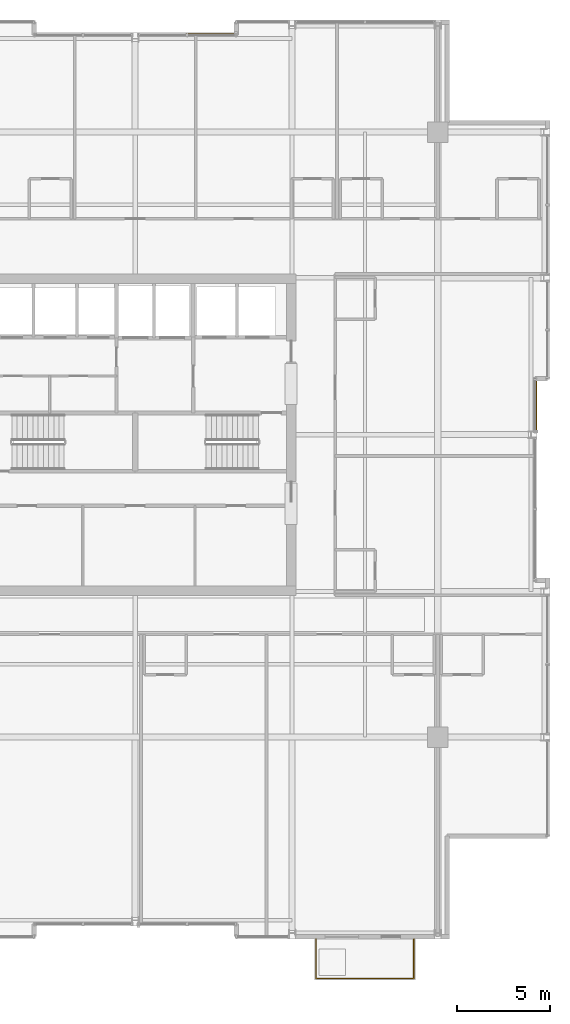
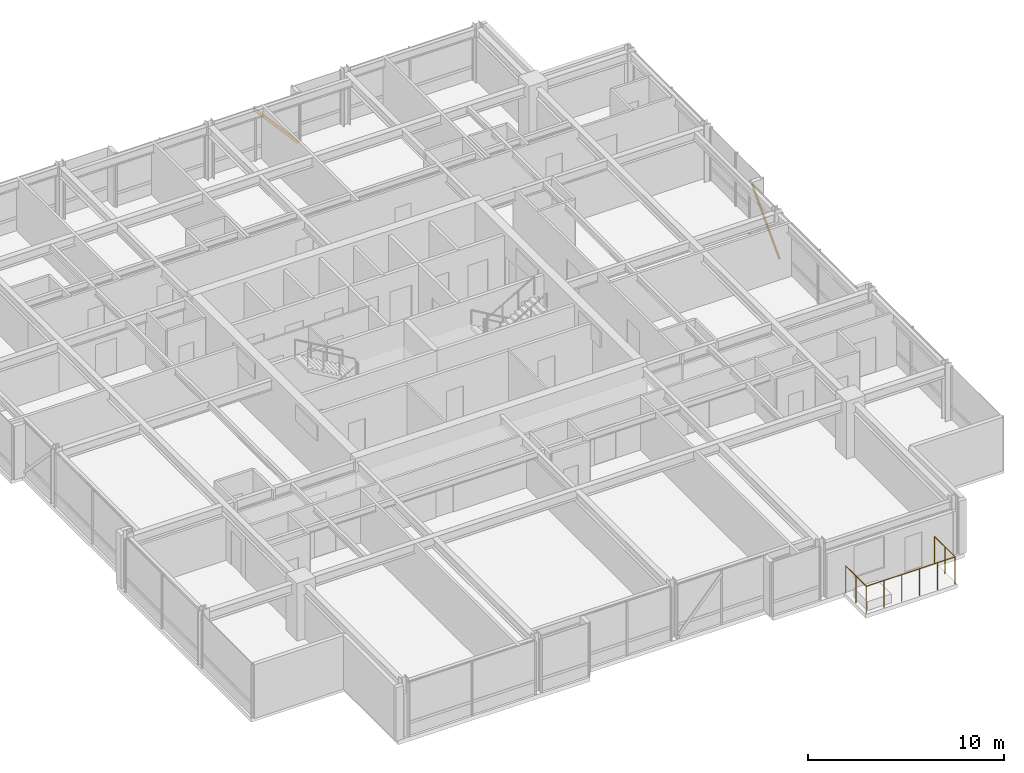
# One storey, part 32 of 32: 2 shading devices, 1 railing.
"""IFC4 building model written with IfcOpenShell, lengths in metres."""

from ifc_helpers import new_model, si_unit, direction, frame, origin, origin_2d, place, context, subcontext, project, spatial, hollow_rectangle, circle, extrude, material, material_profile, profile_set, type_object, element, save


model = new_model("IFC4")

# Units and contexts
model_context = context("Model", 3, precision=1e-05, world=origin(), true_north=direction((0.0, 1.0)))
body_context = subcontext(model_context, "Body", "Model", "MODEL_VIEW")
ifc_project = project(units=[si_unit("LENGTHUNIT", "METRE"), si_unit("AREAUNIT", "SQUARE_METRE"), si_unit("VOLUMEUNIT", "CUBIC_METRE"), si_unit("PLANEANGLEUNIT", "RADIAN"), si_unit("MASSUNIT", "GRAM", prefix="KILO")], contexts=[model_context])

# Site, building, storey
site_placement = place(None, origin())
site = spatial("IfcSite", under=ifc_project, at=site_placement, CompositionType="ELEMENT")
building_placement = place(site_placement, origin())
building = spatial("IfcBuilding", under=site, at=building_placement, Name="Drelvath Grand Hotel", CompositionType="ELEMENT")
storey_placement = place(building_placement, frame((0.0, 0.0, 241.10009765625)))
storey = spatial("IfcBuildingStorey", under=building, at=storey_placement, Name="L63", CompositionType="ELEMENT", Elevation=241.10009765625)

# Shading devices
ifc_material_1 = material(Name="Platinum-Mist Anodised Aluminium", Category="aluminium")
ifc_material_profile = material_profile(ifc_material_1, hollow_rectangle(XDim=0.06494140625, YDim=0.159912109375, WallThickness=0.00390625, at=origin_2d()), Name="HSS160X65X4")
ifc_profile_set = profile_set([ifc_material_profile], Name="Platinum-Mist Anodised Aluminium")
shading_device_type = type_object("IfcShadingDeviceType", Name="Diagonal Solar Fin Platinum Anodised HSS160X65X4", PredefinedType="USERDEFINED", material=ifc_profile_set)
shading_device_1_placement = place(storey_placement, frame((21.47998046875, 27.17822265625, 0.179931640625), z_axis=(0.0, 0.687569722658, 0.726118362586), x_axis=(-1.0, 0.0, 0.0)))
element("IfcShadingDevice", 1, at=shading_device_1_placement, inside=storey, type_object=shading_device_type, Name="L63 Diagonal Anodised Fin CW05-L63-EM2", ObjectType="FIN", PredefinedType="USERDEFINED", context=body_context, shape_type="SweptSolid", body=[
    extrude(hollow_rectangle(XDim=0.06494140625, YDim=0.159912109375, WallThickness=0.00390625, at=origin_2d()), origin(), (0.0, 0.0, 1.0), 4.10400390625),
])
shading_device_2_placement = place(storey_placement, frame((5.39990234375, 48.47998046875, 0.179931640625), z_axis=(-0.658984361182, 0.0, 0.752156640414), x_axis=(0.0, -1.0, 0.0)))
element("IfcShadingDevice", 2, at=shading_device_2_placement, inside=storey, type_object=shading_device_type, Name="L63 Diagonal Anodised Fin CW05-L63-NM2", ObjectType="FIN", PredefinedType="USERDEFINED", context=body_context, shape_type="SweptSolid", body=[
    extrude(hollow_rectangle(XDim=0.06494140625, YDim=0.159912109375, WallThickness=0.00390625, at=origin_2d()), origin(), (0.0, 0.0, 1.0), 3.9619140625),
])

# Railing
ifc_material_2 = material(Name="Anodised Aluminium and Laminated Glass Balustrade", Category="aluminium")
railing_type = type_object("IfcRailingType", Name="Raised Planter Edge Balustrade 1700", PredefinedType="BALUSTRADE", material=ifc_material_2)
railing_placement = place(storey_placement, frame((9.679931640625, -0.02001953125, 0.0)))
element("IfcRailing", 3, at=railing_placement, inside=storey, type_object=railing_type, Name="L63 Tree Balcony Perimeter Balustrade 1", PredefinedType="BALUSTRADE", context=body_context, shape_type="SweptSolid", body=[
    extrude(circle(Radius=0.02392578125, at=origin_2d()), frame((0.0, 0.0, 1.67578125), z_axis=(0.0, -1.0, 0.0), x_axis=(1.0, 0.0, 0.0)), (0.0, 0.0, 1.0), 2.10009765625),
    extrude(circle(Radius=0.02392578125, at=origin_2d()), frame((0.0, -2.10009765625, 1.67578125), z_axis=(1.0, 0.0, 0.0), x_axis=(0.0, 1.0, 0.0)), (0.0, 0.0, 1.0), 5.239990234375),
    extrude(circle(Radius=0.02392578125, at=origin_2d()), frame((5.239990234375, -2.10009765625, 1.67578125), z_axis=(0.0, 1.0, 0.0), x_axis=(-1.0, 0.0, 0.0)), (0.0, 0.0, 1.0), 2.10009765625),
    extrude(circle(Radius=0.02099609375, at=origin_2d()), origin(), (0.0, 0.0, 1.0), 1.65185546875),
    extrude(circle(Radius=0.02099609375, at=origin_2d()), frame((0.0, -1.050048828125, 0.0)), (0.0, 0.0, 1.0), 1.65185546875),
    extrude(circle(Radius=0.02099609375, at=origin_2d()), frame((0.0, -2.10009765625, 0.0)), (0.0, 0.0, 1.0), 1.65185546875),
    extrude(circle(Radius=0.02099609375, at=origin_2d()), frame((1.048095703125, -2.10009765625, 0.0)), (0.0, 0.0, 1.0), 1.65185546875),
    extrude(circle(Radius=0.02099609375, at=origin_2d()), frame((2.095947265625, -2.10009765625, 0.0)), (0.0, 0.0, 1.0), 1.65185546875),
    extrude(circle(Radius=0.02099609375, at=origin_2d()), frame((3.14404296875, -2.10009765625, 0.0)), (0.0, 0.0, 1.0), 1.65185546875),
    extrude(circle(Radius=0.02099609375, at=origin_2d()), frame((4.19189453125, -2.10009765625, 0.0)), (0.0, 0.0, 1.0), 1.65185546875),
    extrude(circle(Radius=0.02099609375, at=origin_2d()), frame((5.239990234375, -2.10009765625, 0.0)), (0.0, 0.0, 1.0), 1.65185546875),
    extrude(circle(Radius=0.02099609375, at=origin_2d()), frame((5.239990234375, -1.050048828125, 0.0)), (0.0, 0.0, 1.0), 1.65185546875),
    extrude(circle(Radius=0.02099609375, at=origin_2d()), frame((5.239990234375, 0.0, 0.0)), (0.0, 0.0, 1.0), 1.65185546875),
])

save(model, "model.ifc")
